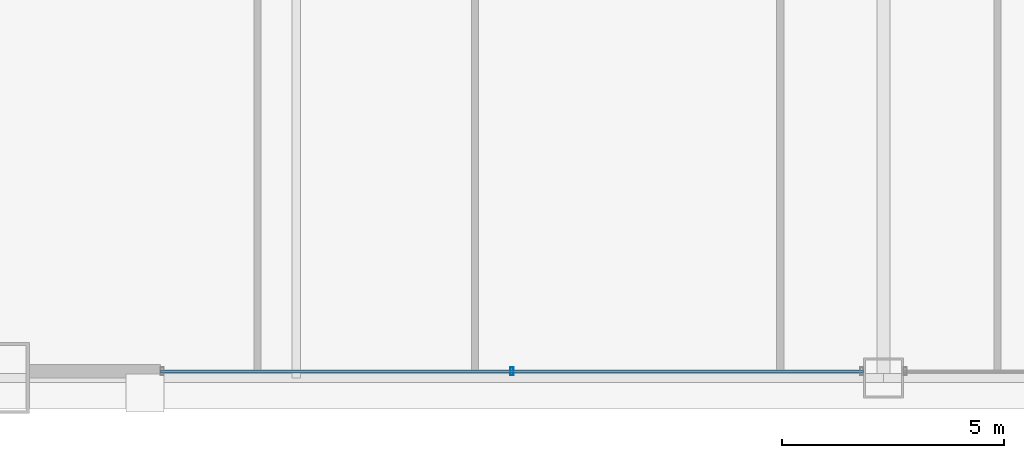
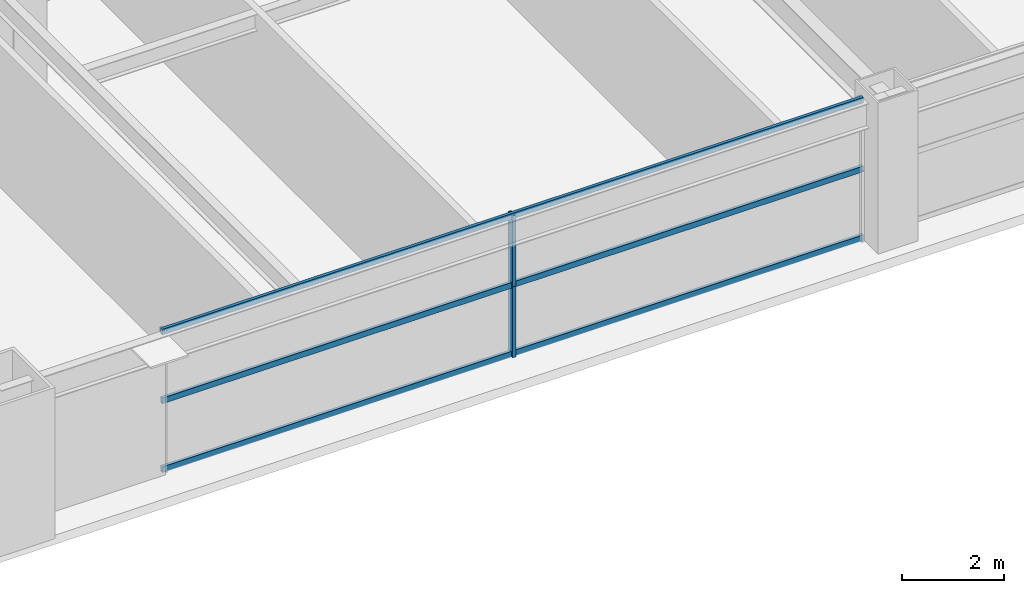
# One storey, part 6 of 39: 5 members, 1 element without a shape of its own.
"""IFC4 building model written with IfcOpenShell, lengths in metres."""

from ifc_helpers import new_model, si_unit, direction, frame, origin, origin_2d, place, context, subcontext, project, spatial, hollow_rectangle, extrude, source, transform, mapped, material, layer, layer_set, material_profile, profile_set, type_object, element, aggregate, save


model = new_model("IFC4")

# Units and contexts
model_context = context("Model", 3, precision=1e-05, world=origin(), true_north=direction((0.0, 1.0)))
body_context = subcontext(model_context, "Body", "Model", "MODEL_VIEW")
ifc_project = project(units=[si_unit("LENGTHUNIT", "METRE"), si_unit("AREAUNIT", "SQUARE_METRE"), si_unit("VOLUMEUNIT", "CUBIC_METRE"), si_unit("PLANEANGLEUNIT", "RADIAN"), si_unit("MASSUNIT", "GRAM", prefix="KILO"), si_unit("THERMODYNAMICTEMPERATUREUNIT", "KELVIN"), si_unit("POWERUNIT", "WATT")], contexts=[model_context])

# Site, building, storey
site_placement = place(None, origin())
site = spatial("IfcSite", under=ifc_project, at=site_placement, CompositionType="ELEMENT")
building_placement = place(site_placement, origin())
building = spatial("IfcBuilding", under=site, at=building_placement, Name="Yuzanri Waterfront Tower", CompositionType="ELEMENT")
storey_placement = place(building_placement, frame((0.0, 0.0, 156.0)))
storey = spatial("IfcBuildingStorey", under=building, at=storey_placement, Name="L41", CompositionType="ELEMENT", Elevation=156.0)

# Curtain wall, members
ifc_material_1 = material(Name="Anodized Architectural Bronze", Category="metal")
ifc_layer = layer(ifc_material_1, 0.159912109375)
ifc_layer_set = layer_set([ifc_layer], Name="Anodized Architectural Bronze")
curtain_wall_type = type_object("IfcCurtainWallType", Name="Anodized Bronze Hotel Upper-Tier Solar-Control Unitized Curtain Wall 7800", PredefinedType="NOTDEFINED", material=ifc_layer_set)
curtain_wall_placement = place(storey_placement, origin())
curtain_wall = element("IfcCurtainWall", 1, at=curtain_wall_placement, inside=storey, type_object=curtain_wall_type, Name="L41 Curtain Wall CW-L41-SL", PredefinedType="NOTDEFINED")
ifc_material_2 = material(Name="Anodized Architectural Bronze", Category="metal")
ifc_material_profile_1 = material_profile(ifc_material_2, hollow_rectangle(XDim=0.070068359375, YDim=0.179931640625, WallThickness=0.00390625, at=origin_2d()), Name="CWM 70x180")
ifc_profile_set_1 = profile_set([ifc_material_profile_1], Name="Anodized Architectural Bronze")
member_type_1 = type_object("IfcMemberType", Name="Anodized Bronze Standard Curtain-Wall Mullion 70x180", PredefinedType="MULLION", material=ifc_profile_set_1)
shared_shape_1 = source(origin(), body_context, "Body", "SweptSolid", [
    extrude(hollow_rectangle(XDim=0.070068359375, YDim=0.179931640625, WallThickness=0.00390625, at=origin_2d()), origin(), (0.0, 0.0, 1.0), 1.68798828125),
])
member_1_placement = place(storey_placement, frame((28.64990234375, 2.35009765625, 0.0), z_axis=(0.0, 0.0, 1.0), x_axis=(1.0, 0.0, 0.0)))
member_1 = element("IfcMember", 2, at=member_1_placement, type_object=member_type_1, Name="CW-L41-SL Lower Mullion 01", PredefinedType="MULLION", context=body_context, shape_type="MappedRepresentation", body=[
    mapped(shared_shape_1, transform((0.0, 0.0, 0.0), scale=1.0)),
])
member_2_placement = place(storey_placement, frame((28.64990234375, 2.35009765625, 1.69189453125), z_axis=(0.0, 0.0, 1.0), x_axis=(1.0, 0.0, 0.0)))
member_2 = element("IfcMember", 3, at=member_2_placement, type_object=member_type_1, Name="CW-L41-SL Upper Mullion 01", PredefinedType="MULLION", context=body_context, shape_type="MappedRepresentation", body=[
    mapped(shared_shape_1, transform((0.0, 0.0, 0.0), scale=1.0)),
])
ifc_material_3 = material(Name="Anodized Architectural Bronze", Category="metal")
ifc_material_profile_2 = material_profile(ifc_material_3, hollow_rectangle(XDim=0.070068359375, YDim=0.135009765625, WallThickness=0.00341796875, at=origin_2d()), Name="CWT 70x135")
ifc_profile_set_2 = profile_set([ifc_material_profile_2], Name="Anodized Architectural Bronze")
member_type_2 = type_object("IfcMemberType", Name="Anodized Bronze Standard Curtain-Wall Transom 70x135", PredefinedType="USERDEFINED", material=ifc_profile_set_2)
shared_shape_2 = source(origin(), body_context, "Body", "SweptSolid", [
    extrude(hollow_rectangle(XDim=0.070068359375, YDim=0.135009765625, WallThickness=0.00341796875, at=origin_2d()), origin(), (0.0, 0.0, 1.0), 15.800048828125),
])
member_3_placement = place(storey_placement, frame((20.75, 2.35009765625, 0.050048828125), z_axis=(1.0, 0.0, 0.0), x_axis=(0.0, 1.0, 0.0)))
member_3 = element("IfcMember", 4, at=member_3_placement, type_object=member_type_2, Name="CW-L41-SL Transom 1", ObjectType="TRANSOM", PredefinedType="USERDEFINED", context=body_context, shape_type="MappedRepresentation", body=[
    mapped(shared_shape_2, transform((0.0, 0.0, 0.0), scale=1.0)),
])
member_4_placement = place(storey_placement, frame((20.75, 2.35009765625, 1.68994140625), z_axis=(1.0, 0.0, 0.0), x_axis=(0.0, 1.0, 0.0)))
member_4 = element("IfcMember", 5, at=member_4_placement, type_object=member_type_2, Name="CW-L41-SL Transom 2", ObjectType="TRANSOM", PredefinedType="USERDEFINED", context=body_context, shape_type="MappedRepresentation", body=[
    mapped(shared_shape_2, transform((0.0, 0.0, 0.0), scale=1.0)),
])
member_5_placement = place(storey_placement, frame((20.75, 2.35009765625, 3.330078125), z_axis=(1.0, 0.0, 0.0), x_axis=(0.0, 1.0, 0.0)))
member_5 = element("IfcMember", 6, at=member_5_placement, type_object=member_type_2, Name="CW-L41-SL Transom 3", ObjectType="TRANSOM", PredefinedType="USERDEFINED", context=body_context, shape_type="MappedRepresentation", body=[
    mapped(shared_shape_2, transform((0.0, 0.0, 0.0), scale=1.0)),
])
aggregate(curtain_wall, [member_1, member_2, member_3, member_4, member_5])

save(model, "model.ifc")
